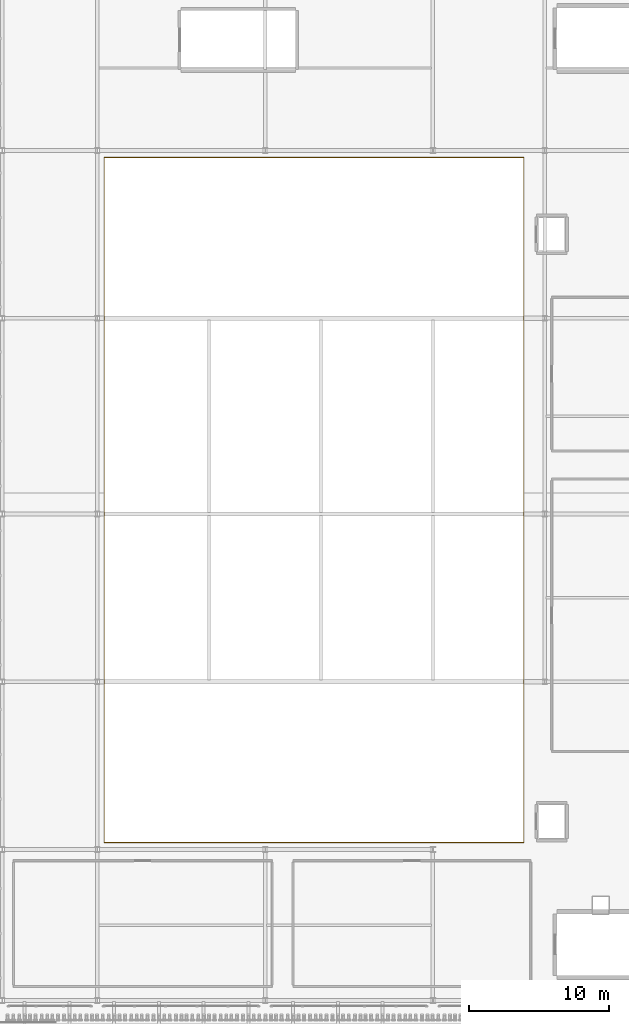
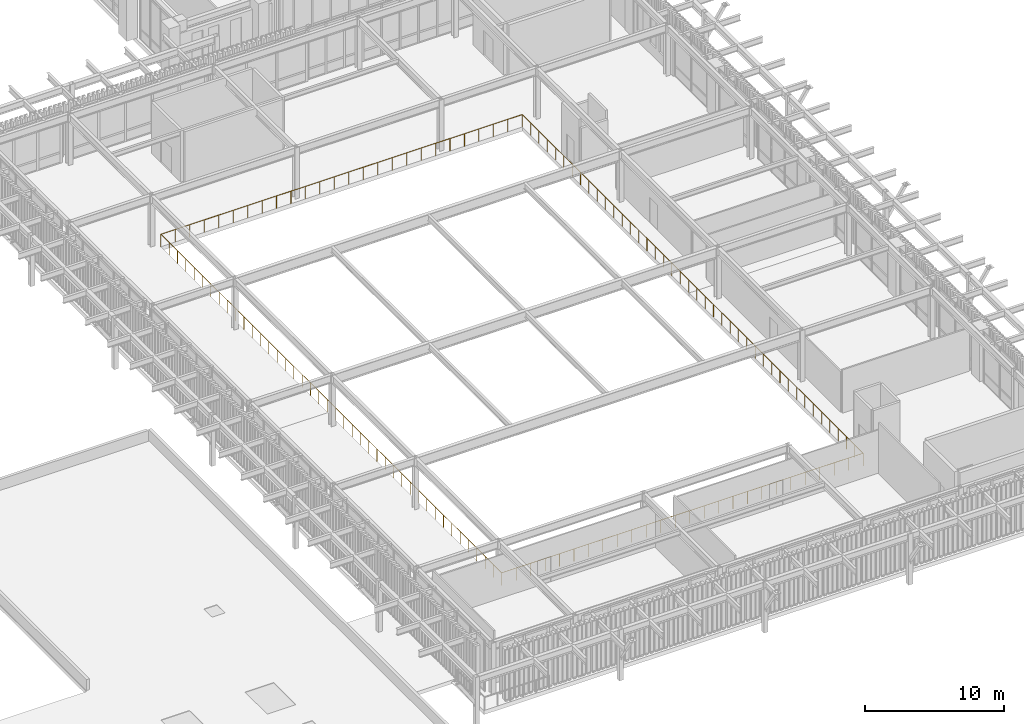
# One storey, part 120 of 126: 1 railing.
"""IFC4 building model written with IfcOpenShell, lengths in metres."""

from ifc_helpers import new_model, si_unit, derived_unit, direction, frame, origin, origin_2d, place, context, subcontext, project, spatial, circle, extrude, material, type_object, element, save


model = new_model("IFC4")

# Units and contexts
model_context = context("Model", 3, precision=1e-05, world=origin(), true_north=direction((0.0, 1.0)))
body_context = subcontext(model_context, "Body", "Model", "MODEL_VIEW")
ifc_project = project(units=[si_unit("LENGTHUNIT", "METRE"), si_unit("AREAUNIT", "SQUARE_METRE"), si_unit("VOLUMEUNIT", "CUBIC_METRE"), si_unit("PLANEANGLEUNIT", "RADIAN"), si_unit("MASSUNIT", "GRAM", prefix="KILO"), derived_unit("THERMALTRANSMITTANCEUNIT", [(si_unit("MASSUNIT", "GRAM", prefix="KILO"), 1), (si_unit("TIMEUNIT", "SECOND"), -3), (si_unit("THERMODYNAMICTEMPERATUREUNIT", "KELVIN"), -1)])], contexts=[model_context])

# Site, building, storey
site_placement = place(None, origin())
site = spatial("IfcSite", under=ifc_project, at=site_placement, CompositionType="ELEMENT")
building_placement = place(site_placement, origin())
building = spatial("IfcBuilding", under=site, at=building_placement, Name="Valcora Ridge Arena", CompositionType="ELEMENT")
storey_placement = place(building_placement, frame((0.0, 0.0, 11.39990234375)))
storey = spatial("IfcBuildingStorey", under=building, at=storey_placement, Name="L02", CompositionType="ELEMENT", Elevation=11.39990234375)

# Railing
ifc_material = material(Name="Galvanized painted steel ASTM A500 Grade B", Category="steel")
railing_type = type_object("IfcRailingType", Name="TY-RAILING-GRD-VOID-1120", PredefinedType="GUARDRAIL", material=ifc_material)
railing_placement = place(storey_placement, frame((144.5, 16.5, 0.0)))
element("IfcRailing", 1, at=railing_placement, inside=storey, type_object=railing_type, Name="GRD-VOID-1120 RAL-DK-0002", PredefinedType="GUARDRAIL", context=body_context, shape_type="SweptSolid", body=[
    extrude(circle(Radius=0.02392578125, at=origin_2d()), frame((0.0, 0.0, 1.09619140625), z_axis=(1.0, 0.0, 0.0), x_axis=(0.0, 1.0, 0.0)), (0.0, 0.0, 1.0), 30.0),
    extrude(circle(Radius=0.02392578125, at=origin_2d()), frame((30.0, 0.0, 1.09619140625), z_axis=(0.0, 1.0, 0.0), x_axis=(-1.0, 0.0, 0.0)), (0.0, 0.0, 1.0), 49.0),
    extrude(circle(Radius=0.02392578125, at=origin_2d()), frame((30.0, 49.0, 1.09619140625), z_axis=(-1.0, 0.0, 0.0), x_axis=(0.0, -1.0, 0.0)), (0.0, 0.0, 1.0), 30.0),
    extrude(circle(Radius=0.02392578125, at=origin_2d()), frame((0.0, 49.0, 1.09619140625), z_axis=(0.0, -1.0, 0.0), x_axis=(1.0, 0.0, 0.0)), (0.0, 0.0, 1.0), 49.0),
    extrude(circle(Radius=0.02099609375, at=origin_2d()), origin(), (0.0, 0.0, 1.0), 1.072021484375),
    extrude(circle(Radius=0.02099609375, at=origin_2d()), frame((1.199951171875, 0.0, 0.0)), (0.0, 0.0, 1.0), 1.072021484375),
    extrude(circle(Radius=0.02099609375, at=origin_2d()), frame((2.39990234375, 0.0, 0.0)), (0.0, 0.0, 1.0), 1.072021484375),
    extrude(circle(Radius=0.02099609375, at=origin_2d()), frame((3.60009765625, 0.0, 0.0)), (0.0, 0.0, 1.0), 1.072021484375),
    extrude(circle(Radius=0.02099609375, at=origin_2d()), frame((4.800048828125, 0.0, 0.0)), (0.0, 0.0, 1.0), 1.072021484375),
    extrude(circle(Radius=0.02099609375, at=origin_2d()), frame((6.0, 0.0, 0.0)), (0.0, 0.0, 1.0), 1.072021484375),
    extrude(circle(Radius=0.02099609375, at=origin_2d()), frame((7.199951171875, 0.0, 0.0)), (0.0, 0.0, 1.0), 1.072021484375),
    extrude(circle(Radius=0.02099609375, at=origin_2d()), frame((8.39990234375, 0.0, 0.0)), (0.0, 0.0, 1.0), 1.072021484375),
    extrude(circle(Radius=0.02099609375, at=origin_2d()), frame((9.60009765625, 0.0, 0.0)), (0.0, 0.0, 1.0), 1.072021484375),
    extrude(circle(Radius=0.02099609375, at=origin_2d()), frame((10.800048828125, 0.0, 0.0)), (0.0, 0.0, 1.0), 1.072021484375),
    extrude(circle(Radius=0.02099609375, at=origin_2d()), frame((12.0, 0.0, 0.0)), (0.0, 0.0, 1.0), 1.072021484375),
    extrude(circle(Radius=0.02099609375, at=origin_2d()), frame((13.199951171875, 0.0, 0.0)), (0.0, 0.0, 1.0), 1.072021484375),
    extrude(circle(Radius=0.02099609375, at=origin_2d()), frame((14.39990234375, 0.0, 0.0)), (0.0, 0.0, 1.0), 1.072021484375),
    extrude(circle(Radius=0.02099609375, at=origin_2d()), frame((15.60009765625, 0.0, 0.0)), (0.0, 0.0, 1.0), 1.072021484375),
    extrude(circle(Radius=0.02099609375, at=origin_2d()), frame((16.800048828125, 0.0, 0.0)), (0.0, 0.0, 1.0), 1.072021484375),
    extrude(circle(Radius=0.02099609375, at=origin_2d()), frame((18.0, 0.0, 0.0)), (0.0, 0.0, 1.0), 1.072021484375),
    extrude(circle(Radius=0.02099609375, at=origin_2d()), frame((19.199951171875, 0.0, 0.0)), (0.0, 0.0, 1.0), 1.072021484375),
    extrude(circle(Radius=0.02099609375, at=origin_2d()), frame((20.39990234375, 0.0, 0.0)), (0.0, 0.0, 1.0), 1.072021484375),
    extrude(circle(Radius=0.02099609375, at=origin_2d()), frame((21.60009765625, 0.0, 0.0)), (0.0, 0.0, 1.0), 1.072021484375),
    extrude(circle(Radius=0.02099609375, at=origin_2d()), frame((22.800048828125, 0.0, 0.0)), (0.0, 0.0, 1.0), 1.072021484375),
    extrude(circle(Radius=0.02099609375, at=origin_2d()), frame((24.0, 0.0, 0.0)), (0.0, 0.0, 1.0), 1.072021484375),
    extrude(circle(Radius=0.02099609375, at=origin_2d()), frame((25.199951171875, 0.0, 0.0)), (0.0, 0.0, 1.0), 1.072021484375),
    extrude(circle(Radius=0.02099609375, at=origin_2d()), frame((26.39990234375, 0.0, 0.0)), (0.0, 0.0, 1.0), 1.072021484375),
    extrude(circle(Radius=0.02099609375, at=origin_2d()), frame((27.60009765625, 0.0, 0.0)), (0.0, 0.0, 1.0), 1.072021484375),
    extrude(circle(Radius=0.02099609375, at=origin_2d()), frame((28.800048828125, 0.0, 0.0)), (0.0, 0.0, 1.0), 1.072021484375),
    extrude(circle(Radius=0.02099609375, at=origin_2d()), frame((30.0, 0.0, 0.0)), (0.0, 0.0, 1.0), 1.072021484375),
    extrude(circle(Radius=0.02099609375, at=origin_2d()), frame((30.0, 1.195068359375, 0.0)), (0.0, 0.0, 1.0), 1.072021484375),
    extrude(circle(Radius=0.02099609375, at=origin_2d()), frame((30.0, 2.39013671875, 0.0)), (0.0, 0.0, 1.0), 1.072021484375),
    extrude(circle(Radius=0.02099609375, at=origin_2d()), frame((30.0, 3.58544921875, 0.0)), (0.0, 0.0, 1.0), 1.072021484375),
    extrude(circle(Radius=0.02099609375, at=origin_2d()), frame((30.0, 4.780517578125, 0.0)), (0.0, 0.0, 1.0), 1.072021484375),
    extrude(circle(Radius=0.02099609375, at=origin_2d()), frame((30.0, 5.9755859375, 0.0)), (0.0, 0.0, 1.0), 1.072021484375),
    extrude(circle(Radius=0.02099609375, at=origin_2d()), frame((30.0, 7.170654296875, 0.0)), (0.0, 0.0, 1.0), 1.072021484375),
    extrude(circle(Radius=0.02099609375, at=origin_2d()), frame((30.0, 8.365966796875, 0.0)), (0.0, 0.0, 1.0), 1.072021484375),
    extrude(circle(Radius=0.02099609375, at=origin_2d()), frame((30.0, 9.56103515625, 0.0)), (0.0, 0.0, 1.0), 1.072021484375),
    extrude(circle(Radius=0.02099609375, at=origin_2d()), frame((30.0, 10.756103515625, 0.0)), (0.0, 0.0, 1.0), 1.072021484375),
    extrude(circle(Radius=0.02099609375, at=origin_2d()), frame((30.0, 11.951171875, 0.0)), (0.0, 0.0, 1.0), 1.072021484375),
    extrude(circle(Radius=0.02099609375, at=origin_2d()), frame((30.0, 13.146240234375, 0.0)), (0.0, 0.0, 1.0), 1.072021484375),
    extrude(circle(Radius=0.02099609375, at=origin_2d()), frame((30.0, 14.341552734375, 0.0)), (0.0, 0.0, 1.0), 1.072021484375),
    extrude(circle(Radius=0.02099609375, at=origin_2d()), frame((30.0, 15.53662109375, 0.0)), (0.0, 0.0, 1.0), 1.072021484375),
    extrude(circle(Radius=0.02099609375, at=origin_2d()), frame((30.0, 16.731689453125, 0.0)), (0.0, 0.0, 1.0), 1.072021484375),
    extrude(circle(Radius=0.02099609375, at=origin_2d()), frame((30.0, 17.9267578125, 0.0)), (0.0, 0.0, 1.0), 1.072021484375),
    extrude(circle(Radius=0.02099609375, at=origin_2d()), frame((30.0, 19.1220703125, 0.0)), (0.0, 0.0, 1.0), 1.072021484375),
    extrude(circle(Radius=0.02099609375, at=origin_2d()), frame((30.0, 20.317138671875, 0.0)), (0.0, 0.0, 1.0), 1.072021484375),
    extrude(circle(Radius=0.02099609375, at=origin_2d()), frame((30.0, 21.51220703125, 0.0)), (0.0, 0.0, 1.0), 1.072021484375),
    extrude(circle(Radius=0.02099609375, at=origin_2d()), frame((30.0, 22.707275390625, 0.0)), (0.0, 0.0, 1.0), 1.072021484375),
    extrude(circle(Radius=0.02099609375, at=origin_2d()), frame((30.0, 23.90234375, 0.0)), (0.0, 0.0, 1.0), 1.072021484375),
    extrude(circle(Radius=0.02099609375, at=origin_2d()), frame((30.0, 25.09765625, 0.0)), (0.0, 0.0, 1.0), 1.072021484375),
    extrude(circle(Radius=0.02099609375, at=origin_2d()), frame((30.0, 26.292724609375, 0.0)), (0.0, 0.0, 1.0), 1.072021484375),
    extrude(circle(Radius=0.02099609375, at=origin_2d()), frame((30.0, 27.48779296875, 0.0)), (0.0, 0.0, 1.0), 1.072021484375),
    extrude(circle(Radius=0.02099609375, at=origin_2d()), frame((30.0, 28.682861328125, 0.0)), (0.0, 0.0, 1.0), 1.072021484375),
    extrude(circle(Radius=0.02099609375, at=origin_2d()), frame((30.0, 29.8779296875, 0.0)), (0.0, 0.0, 1.0), 1.072021484375),
    extrude(circle(Radius=0.02099609375, at=origin_2d()), frame((30.0, 31.0732421875, 0.0)), (0.0, 0.0, 1.0), 1.072021484375),
    extrude(circle(Radius=0.02099609375, at=origin_2d()), frame((30.0, 32.268310546875, 0.0)), (0.0, 0.0, 1.0), 1.072021484375),
    extrude(circle(Radius=0.02099609375, at=origin_2d()), frame((30.0, 33.46337890625, 0.0)), (0.0, 0.0, 1.0), 1.072021484375),
    extrude(circle(Radius=0.02099609375, at=origin_2d()), frame((30.0, 34.658447265625, 0.0)), (0.0, 0.0, 1.0), 1.072021484375),
    extrude(circle(Radius=0.02099609375, at=origin_2d()), frame((30.0, 35.853759765625, 0.0)), (0.0, 0.0, 1.0), 1.072021484375),
    extrude(circle(Radius=0.02099609375, at=origin_2d()), frame((30.0, 37.048828125, 0.0)), (0.0, 0.0, 1.0), 1.072021484375),
    extrude(circle(Radius=0.02099609375, at=origin_2d()), frame((30.0, 38.243896484375, 0.0)), (0.0, 0.0, 1.0), 1.072021484375),
    extrude(circle(Radius=0.02099609375, at=origin_2d()), frame((30.0, 39.43896484375, 0.0)), (0.0, 0.0, 1.0), 1.072021484375),
    extrude(circle(Radius=0.02099609375, at=origin_2d()), frame((30.0, 40.634033203125, 0.0)), (0.0, 0.0, 1.0), 1.072021484375),
    extrude(circle(Radius=0.02099609375, at=origin_2d()), frame((30.0, 41.829345703125, 0.0)), (0.0, 0.0, 1.0), 1.072021484375),
    extrude(circle(Radius=0.02099609375, at=origin_2d()), frame((30.0, 43.0244140625, 0.0)), (0.0, 0.0, 1.0), 1.072021484375),
    extrude(circle(Radius=0.02099609375, at=origin_2d()), frame((30.0, 44.219482421875, 0.0)), (0.0, 0.0, 1.0), 1.072021484375),
    extrude(circle(Radius=0.02099609375, at=origin_2d()), frame((30.0, 45.41455078125, 0.0)), (0.0, 0.0, 1.0), 1.072021484375),
    extrude(circle(Radius=0.02099609375, at=origin_2d()), frame((30.0, 46.60986328125, 0.0)), (0.0, 0.0, 1.0), 1.072021484375),
    extrude(circle(Radius=0.02099609375, at=origin_2d()), frame((30.0, 47.804931640625, 0.0)), (0.0, 0.0, 1.0), 1.072021484375),
    extrude(circle(Radius=0.02099609375, at=origin_2d()), frame((30.0, 49.0, 0.0)), (0.0, 0.0, 1.0), 1.072021484375),
    extrude(circle(Radius=0.02099609375, at=origin_2d()), frame((28.800048828125, 49.0, 0.0)), (0.0, 0.0, 1.0), 1.072021484375),
    extrude(circle(Radius=0.02099609375, at=origin_2d()), frame((27.60009765625, 49.0, 0.0)), (0.0, 0.0, 1.0), 1.072021484375),
    extrude(circle(Radius=0.02099609375, at=origin_2d()), frame((26.39990234375, 49.0, 0.0)), (0.0, 0.0, 1.0), 1.072021484375),
    extrude(circle(Radius=0.02099609375, at=origin_2d()), frame((25.199951171875, 49.0, 0.0)), (0.0, 0.0, 1.0), 1.072021484375),
    extrude(circle(Radius=0.02099609375, at=origin_2d()), frame((24.0, 49.0, 0.0)), (0.0, 0.0, 1.0), 1.072021484375),
    extrude(circle(Radius=0.02099609375, at=origin_2d()), frame((22.800048828125, 49.0, 0.0)), (0.0, 0.0, 1.0), 1.072021484375),
    extrude(circle(Radius=0.02099609375, at=origin_2d()), frame((21.60009765625, 49.0, 0.0)), (0.0, 0.0, 1.0), 1.072021484375),
    extrude(circle(Radius=0.02099609375, at=origin_2d()), frame((20.39990234375, 49.0, 0.0)), (0.0, 0.0, 1.0), 1.072021484375),
    extrude(circle(Radius=0.02099609375, at=origin_2d()), frame((19.199951171875, 49.0, 0.0)), (0.0, 0.0, 1.0), 1.072021484375),
    extrude(circle(Radius=0.02099609375, at=origin_2d()), frame((18.0, 49.0, 0.0)), (0.0, 0.0, 1.0), 1.072021484375),
    extrude(circle(Radius=0.02099609375, at=origin_2d()), frame((16.800048828125, 49.0, 0.0)), (0.0, 0.0, 1.0), 1.072021484375),
    extrude(circle(Radius=0.02099609375, at=origin_2d()), frame((15.60009765625, 49.0, 0.0)), (0.0, 0.0, 1.0), 1.072021484375),
    extrude(circle(Radius=0.02099609375, at=origin_2d()), frame((14.39990234375, 49.0, 0.0)), (0.0, 0.0, 1.0), 1.072021484375),
    extrude(circle(Radius=0.02099609375, at=origin_2d()), frame((13.199951171875, 49.0, 0.0)), (0.0, 0.0, 1.0), 1.072021484375),
    extrude(circle(Radius=0.02099609375, at=origin_2d()), frame((12.0, 49.0, 0.0)), (0.0, 0.0, 1.0), 1.072021484375),
    extrude(circle(Radius=0.02099609375, at=origin_2d()), frame((10.800048828125, 49.0, 0.0)), (0.0, 0.0, 1.0), 1.072021484375),
    extrude(circle(Radius=0.02099609375, at=origin_2d()), frame((9.60009765625, 49.0, 0.0)), (0.0, 0.0, 1.0), 1.072021484375),
    extrude(circle(Radius=0.02099609375, at=origin_2d()), frame((8.39990234375, 49.0, 0.0)), (0.0, 0.0, 1.0), 1.072021484375),
    extrude(circle(Radius=0.02099609375, at=origin_2d()), frame((7.199951171875, 49.0, 0.0)), (0.0, 0.0, 1.0), 1.072021484375),
    extrude(circle(Radius=0.02099609375, at=origin_2d()), frame((6.0, 49.0, 0.0)), (0.0, 0.0, 1.0), 1.072021484375),
    extrude(circle(Radius=0.02099609375, at=origin_2d()), frame((4.800048828125, 49.0, 0.0)), (0.0, 0.0, 1.0), 1.072021484375),
    extrude(circle(Radius=0.02099609375, at=origin_2d()), frame((3.60009765625, 49.0, 0.0)), (0.0, 0.0, 1.0), 1.072021484375),
    extrude(circle(Radius=0.02099609375, at=origin_2d()), frame((2.39990234375, 49.0, 0.0)), (0.0, 0.0, 1.0), 1.072021484375),
    extrude(circle(Radius=0.02099609375, at=origin_2d()), frame((1.199951171875, 49.0, 0.0)), (0.0, 0.0, 1.0), 1.072021484375),
    extrude(circle(Radius=0.02099609375, at=origin_2d()), frame((0.0, 49.0, 0.0)), (0.0, 0.0, 1.0), 1.072021484375),
    extrude(circle(Radius=0.02099609375, at=origin_2d()), frame((0.0, 47.804931640625, 0.0)), (0.0, 0.0, 1.0), 1.072021484375),
    extrude(circle(Radius=0.02099609375, at=origin_2d()), frame((0.0, 46.60986328125, 0.0)), (0.0, 0.0, 1.0), 1.072021484375),
    extrude(circle(Radius=0.02099609375, at=origin_2d()), frame((0.0, 45.41455078125, 0.0)), (0.0, 0.0, 1.0), 1.072021484375),
    extrude(circle(Radius=0.02099609375, at=origin_2d()), frame((0.0, 44.219482421875, 0.0)), (0.0, 0.0, 1.0), 1.072021484375),
    extrude(circle(Radius=0.02099609375, at=origin_2d()), frame((0.0, 43.0244140625, 0.0)), (0.0, 0.0, 1.0), 1.072021484375),
    extrude(circle(Radius=0.02099609375, at=origin_2d()), frame((0.0, 41.829345703125, 0.0)), (0.0, 0.0, 1.0), 1.072021484375),
    extrude(circle(Radius=0.02099609375, at=origin_2d()), frame((0.0, 40.634033203125, 0.0)), (0.0, 0.0, 1.0), 1.072021484375),
    extrude(circle(Radius=0.02099609375, at=origin_2d()), frame((0.0, 39.43896484375, 0.0)), (0.0, 0.0, 1.0), 1.072021484375),
    extrude(circle(Radius=0.02099609375, at=origin_2d()), frame((0.0, 38.243896484375, 0.0)), (0.0, 0.0, 1.0), 1.072021484375),
    extrude(circle(Radius=0.02099609375, at=origin_2d()), frame((0.0, 37.048828125, 0.0)), (0.0, 0.0, 1.0), 1.072021484375),
    extrude(circle(Radius=0.02099609375, at=origin_2d()), frame((0.0, 35.853759765625, 0.0)), (0.0, 0.0, 1.0), 1.072021484375),
    extrude(circle(Radius=0.02099609375, at=origin_2d()), frame((0.0, 34.658447265625, 0.0)), (0.0, 0.0, 1.0), 1.072021484375),
    extrude(circle(Radius=0.02099609375, at=origin_2d()), frame((0.0, 33.46337890625, 0.0)), (0.0, 0.0, 1.0), 1.072021484375),
    extrude(circle(Radius=0.02099609375, at=origin_2d()), frame((0.0, 32.268310546875, 0.0)), (0.0, 0.0, 1.0), 1.072021484375),
    extrude(circle(Radius=0.02099609375, at=origin_2d()), frame((0.0, 31.0732421875, 0.0)), (0.0, 0.0, 1.0), 1.072021484375),
    extrude(circle(Radius=0.02099609375, at=origin_2d()), frame((0.0, 29.8779296875, 0.0)), (0.0, 0.0, 1.0), 1.072021484375),
    extrude(circle(Radius=0.02099609375, at=origin_2d()), frame((0.0, 28.682861328125, 0.0)), (0.0, 0.0, 1.0), 1.072021484375),
    extrude(circle(Radius=0.02099609375, at=origin_2d()), frame((0.0, 27.48779296875, 0.0)), (0.0, 0.0, 1.0), 1.072021484375),
    extrude(circle(Radius=0.02099609375, at=origin_2d()), frame((0.0, 26.292724609375, 0.0)), (0.0, 0.0, 1.0), 1.072021484375),
    extrude(circle(Radius=0.02099609375, at=origin_2d()), frame((0.0, 25.09765625, 0.0)), (0.0, 0.0, 1.0), 1.072021484375),
    extrude(circle(Radius=0.02099609375, at=origin_2d()), frame((0.0, 23.90234375, 0.0)), (0.0, 0.0, 1.0), 1.072021484375),
    extrude(circle(Radius=0.02099609375, at=origin_2d()), frame((0.0, 22.707275390625, 0.0)), (0.0, 0.0, 1.0), 1.072021484375),
    extrude(circle(Radius=0.02099609375, at=origin_2d()), frame((0.0, 21.51220703125, 0.0)), (0.0, 0.0, 1.0), 1.072021484375),
    extrude(circle(Radius=0.02099609375, at=origin_2d()), frame((0.0, 20.317138671875, 0.0)), (0.0, 0.0, 1.0), 1.072021484375),
    extrude(circle(Radius=0.02099609375, at=origin_2d()), frame((0.0, 19.1220703125, 0.0)), (0.0, 0.0, 1.0), 1.072021484375),
    extrude(circle(Radius=0.02099609375, at=origin_2d()), frame((0.0, 17.9267578125, 0.0)), (0.0, 0.0, 1.0), 1.072021484375),
    extrude(circle(Radius=0.02099609375, at=origin_2d()), frame((0.0, 16.731689453125, 0.0)), (0.0, 0.0, 1.0), 1.072021484375),
    extrude(circle(Radius=0.02099609375, at=origin_2d()), frame((0.0, 15.53662109375, 0.0)), (0.0, 0.0, 1.0), 1.072021484375),
    extrude(circle(Radius=0.02099609375, at=origin_2d()), frame((0.0, 14.341552734375, 0.0)), (0.0, 0.0, 1.0), 1.072021484375),
    extrude(circle(Radius=0.02099609375, at=origin_2d()), frame((0.0, 13.146240234375, 0.0)), (0.0, 0.0, 1.0), 1.072021484375),
    extrude(circle(Radius=0.02099609375, at=origin_2d()), frame((0.0, 11.951171875, 0.0)), (0.0, 0.0, 1.0), 1.072021484375),
    extrude(circle(Radius=0.02099609375, at=origin_2d()), frame((0.0, 10.756103515625, 0.0)), (0.0, 0.0, 1.0), 1.072021484375),
    extrude(circle(Radius=0.02099609375, at=origin_2d()), frame((0.0, 9.56103515625, 0.0)), (0.0, 0.0, 1.0), 1.072021484375),
    extrude(circle(Radius=0.02099609375, at=origin_2d()), frame((0.0, 8.365966796875, 0.0)), (0.0, 0.0, 1.0), 1.072021484375),
    extrude(circle(Radius=0.02099609375, at=origin_2d()), frame((0.0, 7.170654296875, 0.0)), (0.0, 0.0, 1.0), 1.072021484375),
    extrude(circle(Radius=0.02099609375, at=origin_2d()), frame((0.0, 5.9755859375, 0.0)), (0.0, 0.0, 1.0), 1.072021484375),
    extrude(circle(Radius=0.02099609375, at=origin_2d()), frame((0.0, 4.780517578125, 0.0)), (0.0, 0.0, 1.0), 1.072021484375),
    extrude(circle(Radius=0.02099609375, at=origin_2d()), frame((0.0, 3.58544921875, 0.0)), (0.0, 0.0, 1.0), 1.072021484375),
    extrude(circle(Radius=0.02099609375, at=origin_2d()), frame((0.0, 2.39013671875, 0.0)), (0.0, 0.0, 1.0), 1.072021484375),
    extrude(circle(Radius=0.02099609375, at=origin_2d()), frame((0.0, 1.195068359375, 0.0)), (0.0, 0.0, 1.0), 1.072021484375),
])

save(model, "model.ifc")
